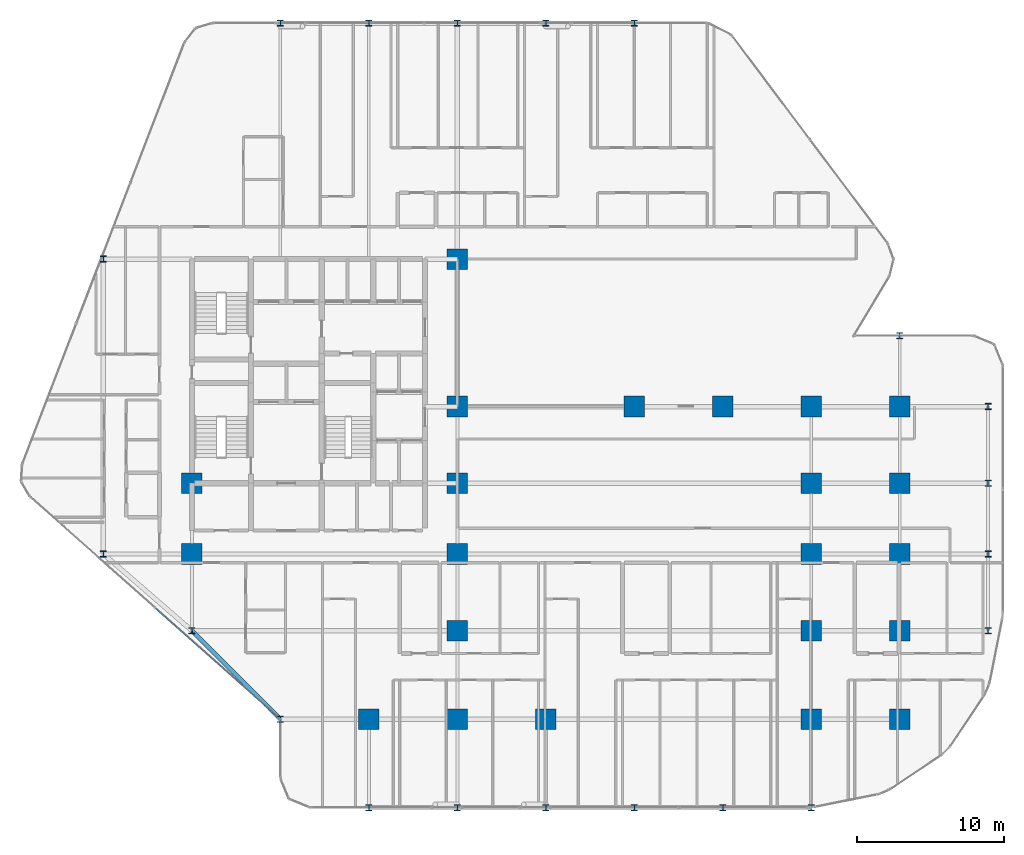
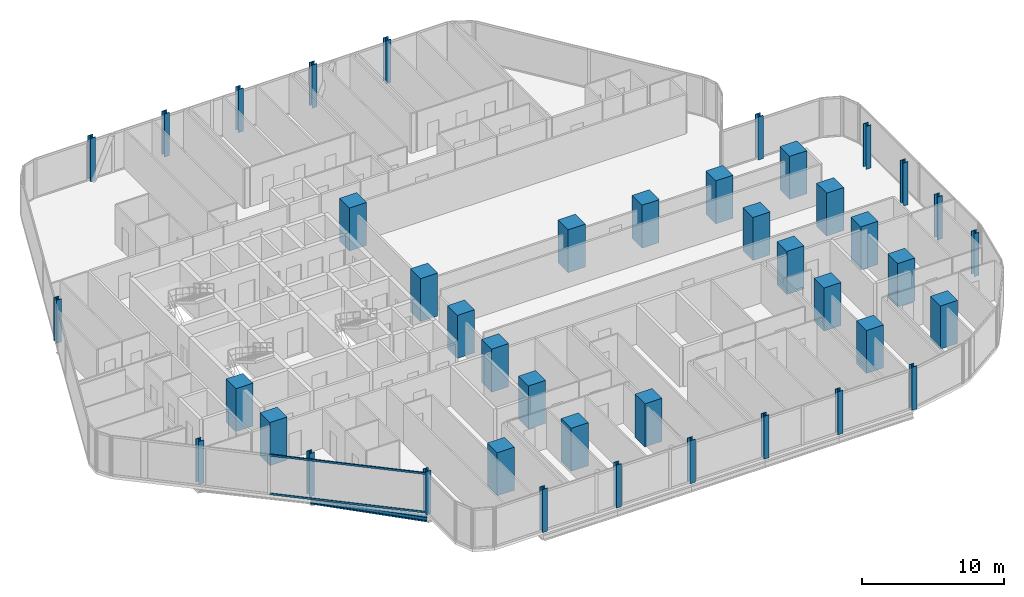
# One storey, part 1 of 33: 42 columns, 2 members, 1 beam, 1 element without a shape of its own.
"""IFC4 building model written with IfcOpenShell, lengths in metres."""

from ifc_helpers import new_model, si_unit, direction, frame, origin, origin_2d, place, context, subcontext, project, spatial, rectangle, hollow_rectangle, i_section, extrude, material, layer, layer_set, material_profile, profile_set, type_object, element, aggregate, save


model = new_model("IFC4")

# Units and contexts
model_context = context("Model", 3, precision=1e-05, world=origin(), true_north=direction((0.0, 1.0)))
body_context = subcontext(model_context, "Body", "Model", "MODEL_VIEW")
ifc_project = project(units=[si_unit("LENGTHUNIT", "METRE"), si_unit("AREAUNIT", "SQUARE_METRE"), si_unit("VOLUMEUNIT", "CUBIC_METRE"), si_unit("PLANEANGLEUNIT", "RADIAN"), si_unit("MASSUNIT", "GRAM", prefix="KILO")], contexts=[model_context])

# Site, building, storey
site_placement = place(None, origin())
site = spatial("IfcSite", under=ifc_project, at=site_placement, CompositionType="ELEMENT")
building_placement = place(site_placement, origin())
building = spatial("IfcBuilding", under=site, at=building_placement, Name="Keshet Zoharim Tower", CompositionType="ELEMENT")
storey_placement = place(building_placement, frame((0.0, 0.0, 35.10009765625)))
storey = spatial("IfcBuildingStorey", under=building, at=storey_placement, Name="L07", CompositionType="ELEMENT", Elevation=35.10009765625)

# Columns
ifc_material_1 = material(Name="Steel S355", Category="steel")
ifc_material_profile_1 = material_profile(ifc_material_1, i_section(OverallWidth=0.408935546875, OverallDepth=0.425048828125, WebThickness=0.031982421875, FlangeThickness=0.052490234375, FilletRadius=0.014892578125, at=origin_2d()), Name="HD400x421")
ifc_profile_set_1 = profile_set([ifc_material_profile_1], Name="Steel S355")
column_type_1 = type_object("IfcColumnType", Name="COL-HD421", PredefinedType="COLUMN", material=ifc_profile_set_1)
for number, where, z_axis, x_axis, name in (
    (1, (9.0, 17.89990234375, 0.0), (0.0, 0.0, 1.0), (1.0, 0.0, 0.0), "L07 Column 2D"),
    (2, (9.0, 37.89990234375, 0.0), (0.0, 0.0, 1.0), (1.0, 0.0, 0.0), "L07 Column 2H"),
    (3, (15.0, 12.699951171875, 0.0), (0.0, 0.0, 1.0), (1.0, 0.0, 0.0), "L07 Column 3C"),
    (4, (21.0, 6.699951171875, 0.0), (0.0, 0.0, 1.0), (1.0, 0.0, 0.0), "L07 Column 4B"),
    (5, (21.0, 53.89990234375, 0.0), (0.0, 0.0, 1.0), (1.0, 0.0, 0.0), "L07 Column 4L"),
    (6, (27.0, 0.699951171875, 0.0), (0.0, 0.0, 1.0), (1.0, 0.0, 0.0), "L07 Column 5A"),
    (7, (27.0, 53.89990234375, 0.0), (0.0, 0.0, 1.0), (1.0, 0.0, 0.0), "L07 Column 5L"),
    (8, (33.0, 0.699951171875, 0.0), (0.0, 0.0, 1.0), (1.0, 0.0, 0.0), "L07 Column 6A"),
    (9, (33.0, 53.89990234375, 0.0), (0.0, 0.0, 1.0), (1.0, 0.0, 0.0), "L07 Column 6L"),
    (10, (39.0, 0.699951171875, 0.0), (0.0, 0.0, 1.0), (1.0, 0.0, 0.0), "L07 Column 7A"),
    (11, (39.0, 53.89990234375, 0.0), (0.0, 0.0, 1.0), (1.0, 0.0, 0.0), "L07 Column 7L"),
    (12, (45.0, 0.699951171875, 0.0), (0.0, 0.0, 1.0), (1.0, 0.0, 0.0), "L07 Column 8A"),
    (13, (45.0, 53.89990234375, 0.0), (0.0, 0.0, 1.0), (1.0, 0.0, 0.0), "L07 Column 8L"),
    (14, (51.0, 0.699951171875, 0.0), (0.0, 0.0, 1.0), (1.0, 0.0, 0.0), "L07 Column 9A"),
    (15, (57.0, 0.699951171875, 0.0), (0.0, 0.0, 1.0), (1.0, 0.0, 0.0), "L07 Column 10A"),
    (16, (63.0, 32.699951171875, 0.0), (0.0, 0.0, 1.0), (1.0, 0.0, 0.0), "L07 Column 11G"),
    (17, (69.0, 12.699951171875, 0.0), (0.0, 0.0, 1.0), (1.0, 0.0, 0.0), "L07 Column 12C"),
    (18, (69.0, 17.89990234375, 0.0), (0.0, 0.0, 1.0), (1.0, 0.0, 0.0), "L07 Column 12D"),
    (19, (69.0, 22.699951171875, 0.0), (0.0, 0.0, 1.0), (1.0, 0.0, 0.0), "L07 Column 12E"),
    (20, (69.0, 27.89990234375, 0.0), (0.0, 0.0, 1.0), (1.0, 0.0, 0.0), "L07 Column 12F"),
):
    element("IfcColumn", number, at=place(storey_placement, frame(where, z_axis=z_axis, x_axis=x_axis)), inside=storey, type_object=column_type_1, Name=name, PredefinedType="COLUMN", context=body_context, shape_type="SweptSolid", body=[
        extrude(i_section(OverallWidth=0.408935546875, OverallDepth=0.425048828125, WebThickness=0.031982421875, FlangeThickness=0.052490234375, FilletRadius=0.014892578125, at=origin_2d()), origin(), (0.0, 0.0, 1.0), 3.699951171875),
    ])
ifc_material_2 = material(Name="Concrete C60/75", Category="concrete")
ifc_material_profile_2 = material_profile(ifc_material_2, rectangle(XDim=1.39990234375, YDim=1.39990234375, at=origin_2d()), Name="RC1400x1400")
ifc_profile_set_2 = profile_set([ifc_material_profile_2], Name="Concrete C60/75")
column_type_2 = type_object("IfcColumnType", Name="COL-RC1400", PredefinedType="COLUMN", material=ifc_profile_set_2)
for number, where, z_axis, x_axis, name in (
    (21, (15.0, 17.89990234375, 0.0), (0.0, 0.0, 1.0), (1.0, 0.0, 0.0), "L07 Column 3D"),
    (22, (15.0, 22.699951171875, 0.0), (0.0, 0.0, 1.0), (1.0, 0.0, 0.0), "L07 Column 3E"),
    (23, (27.0, 6.699951171875, 0.0), (0.0, 0.0, 1.0), (1.0, 0.0, 0.0), "L07 Column 5B"),
    (24, (33.0, 6.699951171875, 0.0), (0.0, 0.0, 1.0), (1.0, 0.0, 0.0), "L07 Column 6B"),
    (25, (33.0, 12.699951171875, 0.0), (0.0, 0.0, 1.0), (1.0, 0.0, 0.0), "L07 Column 6C"),
    (26, (33.0, 17.89990234375, 0.0), (0.0, 0.0, 1.0), (1.0, 0.0, 0.0), "L07 Column 6D"),
    (27, (33.0, 22.699951171875, 0.0), (0.0, 0.0, 1.0), (1.0, 0.0, 0.0), "L07 Column 6E"),
    (28, (33.0, 27.89990234375, 0.0), (0.0, 0.0, 1.0), (1.0, 0.0, 0.0), "L07 Column 6F"),
    (29, (33.0, 37.89990234375, 0.0), (0.0, 0.0, 1.0), (1.0, 0.0, 0.0), "L07 Column 6H"),
    (30, (39.0, 6.699951171875, 0.0), (0.0, 0.0, 1.0), (1.0, 0.0, 0.0), "L07 Column 7B"),
    (31, (45.0, 27.89990234375, 0.0), (0.0, 0.0, 1.0), (1.0, 0.0, 0.0), "L07 Column 8F"),
    (32, (51.0, 27.89990234375, 0.0), (0.0, 0.0, 1.0), (1.0, 0.0, 0.0), "L07 Column 9F"),
    (33, (57.0, 6.699951171875, 0.0), (0.0, 0.0, 1.0), (1.0, 0.0, 0.0), "L07 Column 10B"),
    (34, (57.0, 12.699951171875, 0.0), (0.0, 0.0, 1.0), (1.0, 0.0, 0.0), "L07 Column 10C"),
    (35, (57.0, 17.89990234375, 0.0), (0.0, 0.0, 1.0), (1.0, 0.0, 0.0), "L07 Column 10D"),
    (36, (57.0, 22.699951171875, 0.0), (0.0, 0.0, 1.0), (1.0, 0.0, 0.0), "L07 Column 10E"),
    (37, (57.0, 27.89990234375, 0.0), (0.0, 0.0, 1.0), (1.0, 0.0, 0.0), "L07 Column 10F"),
    (38, (63.0, 6.699951171875, 0.0), (0.0, 0.0, 1.0), (1.0, 0.0, 0.0), "L07 Column 11B"),
    (39, (63.0, 12.699951171875, 0.0), (0.0, 0.0, 1.0), (1.0, 0.0, 0.0), "L07 Column 11C"),
    (40, (63.0, 17.89990234375, 0.0), (0.0, 0.0, 1.0), (1.0, 0.0, 0.0), "L07 Column 11D"),
    (41, (63.0, 22.699951171875, 0.0), (0.0, 0.0, 1.0), (1.0, 0.0, 0.0), "L07 Column 11E"),
    (42, (63.0, 27.89990234375, 0.0), (0.0, 0.0, 1.0), (1.0, 0.0, 0.0), "L07 Column 11F"),
):
    element("IfcColumn", number, at=place(storey_placement, frame(where, z_axis=z_axis, x_axis=x_axis)), inside=storey, type_object=column_type_2, Name=name, PredefinedType="COLUMN", context=body_context, shape_type="SweptSolid", body=[
        extrude(rectangle(XDim=1.39990234375, YDim=1.39990234375, at=origin_2d()), origin(), (0.0, 0.0, 1.0), 3.699951171875),
    ])

# Beam
ifc_material_profile_3 = material_profile(ifc_material_1, i_section(OverallWidth=0.300048828125, OverallDepth=0.39990234375, WebThickness=0.013427734375, FlangeThickness=0.02392578125, FilletRadius=0.027099609375, at=origin_2d()), Name="HEB400")
ifc_profile_set_3 = profile_set([ifc_material_profile_3], Name="Steel S355")
beam_type = type_object("IfcBeamType", Name="BM-SPN-HB400", PredefinedType="SPANDREL", material=ifc_profile_set_3)
beam_placement = place(storey_placement, frame((21.0, 6.699951171875, -0.51513671875), z_axis=(-0.707106781187, 0.707106781187, 0.0), x_axis=(-0.707106781187, -0.707106781187, 0.0)))
element("IfcBeam", 43, at=beam_placement, inside=storey, type_object=beam_type, Name="L07 Perimeter Spandrel Beam 01", PredefinedType="SPANDREL", context=body_context, shape_type="SweptSolid", body=[
    extrude(i_section(OverallWidth=0.300048828125, OverallDepth=0.39990234375, WebThickness=0.013427734375, FlangeThickness=0.02392578125, FilletRadius=0.027099609375, at=origin_2d()), origin(), (0.0, 0.0, 1.0), 8.4853515625),
])

# Curtain wall, members
ifc_material_3 = material(Name="Aluminium 6063-T6", Category="aluminium")
ifc_layer = layer(ifc_material_3, 0.179931640625)
ifc_layer_set = layer_set([ifc_layer], Name="Aluminium 6063-T6")
curtain_wall_type = type_object("IfcCurtainWallType", Name="CW-SYS-01", PredefinedType="NOTDEFINED", material=ifc_layer_set)
curtain_wall_placement = place(storey_placement, origin())
curtain_wall = element("IfcCurtainWall", 44, at=curtain_wall_placement, inside=storey, type_object=curtain_wall_type, Name="L07 Unitised Curtain Wall 01", PredefinedType="NOTDEFINED")
ifc_material_profile_4 = material_profile(ifc_material_3, hollow_rectangle(XDim=0.0849609375, YDim=0.159912109375, WallThickness=0.00439453125, at=origin_2d()), Name="TRN-85x160")
ifc_profile_set_4 = profile_set([ifc_material_profile_4], Name="Aluminium 6063-T6")
member_type = type_object("IfcMemberType", Name="CWT-T16", PredefinedType="USERDEFINED", material=ifc_profile_set_4)
member_1_placement = place(storey_placement, frame((20.94775390625, 6.74658203125, 0.034912109375), z_axis=(-0.747411714548, 0.664361143472, 0.0), x_axis=(-0.664361143472, -0.747411714548, 0.0)))
member_1 = element("IfcMember", 45, at=member_1_placement, type_object=member_type, Name="CW-01 transom 1.1", ObjectType="TRANSOM", PredefinedType="USERDEFINED", context=body_context, shape_type="SweptSolid", body=[
    extrude(hollow_rectangle(XDim=0.0849609375, YDim=0.159912109375, WallThickness=0.00439453125, at=origin_2d()), origin(), (0.0, 0.0, 1.0), 11.244140625),
])
member_2_placement = place(storey_placement, frame((20.94775390625, 6.74658203125, 3.349853515625), z_axis=(-0.747411714548, 0.664361143472, 0.0), x_axis=(-0.664361143472, -0.747411714548, 0.0)))
member_2 = element("IfcMember", 46, at=member_2_placement, type_object=member_type, Name="CW-01 transom 1.2", ObjectType="TRANSOM", PredefinedType="USERDEFINED", context=body_context, shape_type="SweptSolid", body=[
    extrude(hollow_rectangle(XDim=0.0849609375, YDim=0.159912109375, WallThickness=0.00439453125, at=origin_2d()), origin(), (0.0, 0.0, 1.0), 11.244140625),
])
aggregate(curtain_wall, [member_1, member_2])

save(model, "model.ifc")
